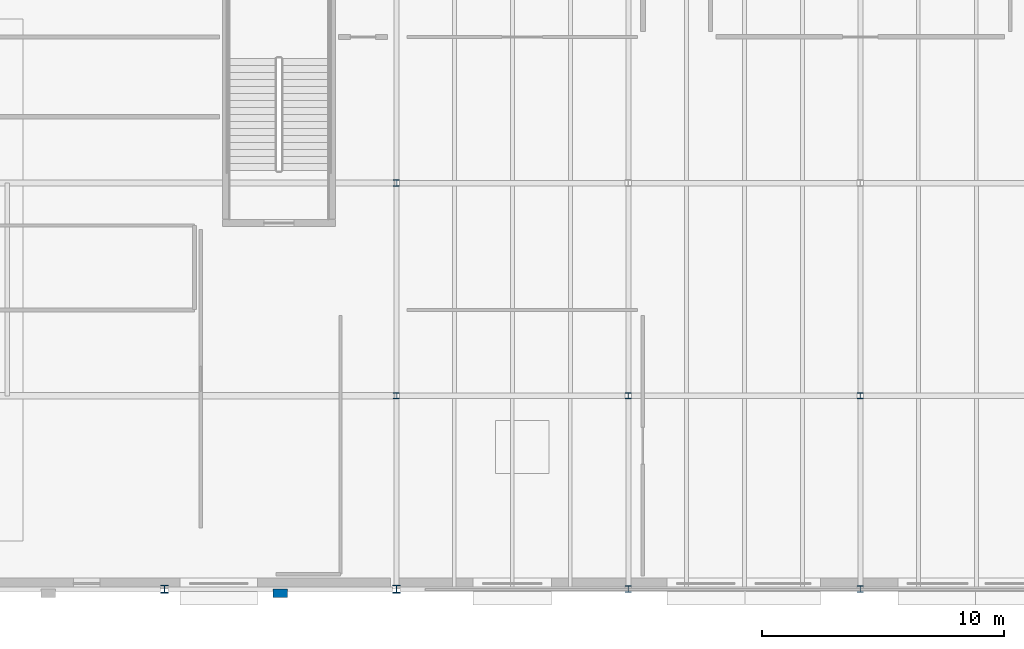
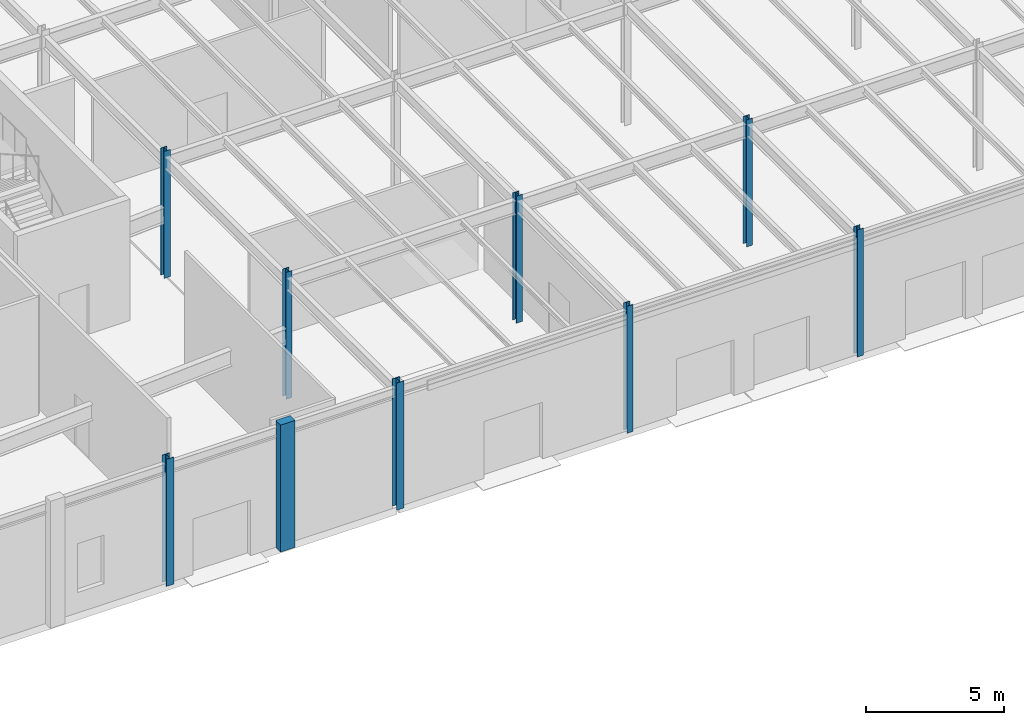
# One storey, part 5 of 70: 9 columns.
"""IFC4 building model written with IfcOpenShell, lengths in metres."""

from ifc_helpers import new_model, si_unit, direction, frame, origin, origin_2d, place, context, subcontext, project, spatial, rectangle, i_section, extrude, material, material_profile, profile_set, type_object, element, save


model = new_model("IFC4")

# Units and contexts
model_context = context("Model", 3, precision=1e-05, world=origin(), true_north=direction((0.0, 1.0)))
body_context = subcontext(model_context, "Body", "Model", "MODEL_VIEW")
ifc_project = project(units=[si_unit("LENGTHUNIT", "METRE"), si_unit("AREAUNIT", "SQUARE_METRE"), si_unit("VOLUMEUNIT", "CUBIC_METRE"), si_unit("PLANEANGLEUNIT", "RADIAN"), si_unit("MASSUNIT", "GRAM", prefix="KILO")], contexts=[model_context])

# Site, building, storey
site_placement = place(None, origin())
site = spatial("IfcSite", under=ifc_project, at=site_placement, CompositionType="ELEMENT")
building_placement = place(site_placement, origin())
building = spatial("IfcBuilding", under=site, at=building_placement, Name="Sarnbrook Museum", CompositionType="ELEMENT")
storey_placement = place(building_placement, origin())
storey = spatial("IfcBuildingStorey", under=building, at=storey_placement, Name="L00", CompositionType="ELEMENT", Elevation=0.0)

# Columns
ifc_material_1 = material(Name="Structural Steel Grade 300PLUS (AS/NZS 3679.1, fy = 280 MPa for 17 < t <= 40 mm, 300 MPa for t <= 17 mm)", Category="steel")
ifc_material_profile_1 = material_profile(ifc_material_1, i_section(OverallWidth=0.256103515625, OverallDepth=0.260009765625, WebThickness=0.010498046875, FlangeThickness=0.017333984375, FilletRadius=0.0126953125, at=origin_2d()), Name="250UC89.5")
ifc_profile_set_1 = profile_set([ifc_material_profile_1], Name="Structural Steel Grade 300PLUS (AS/NZS 3679.1, fy = 280 MPa for 17 < t <= 40 mm, 300 MPa for t <= 17 mm)")
column_type_1 = type_object("IfcColumnType", Name="COL-UC250H", PredefinedType="COLUMN", material=ifc_profile_set_1)
for number, where, z_axis, x_axis, name in (
    (1, (90.39990234375, 4.800048828125, 0.0), (0.0, 0.0, 1.0), (1.0, 0.0, 0.0), "Column 10-A L00"),
    (2, (90.39990234375, 12.800048828125, 0.0), (0.0, 0.0, 1.0), (1.0, 0.0, 0.0), "Column 10-B L00"),
    (3, (100.0, 4.800048828125, 0.0), (0.0, 0.0, 1.0), (1.0, 0.0, 0.0), "Column 11-A L00"),
    (4, (100.0, 12.800048828125, 0.0), (0.0, 0.0, 1.0), (1.0, 0.0, 0.0), "Column 11-B L00"),
    (5, (80.800048828125, 12.800048828125, 0.0), (0.0, 0.0, 1.0), (1.0, 0.0, 0.0), "Column 9-B L00"),
    (6, (80.800048828125, 21.60009765625, 0.0), (0.0, 0.0, 1.0), (1.0, 0.0, 0.0), "Column 9-C L00"),
):
    element("IfcColumn", number, at=place(storey_placement, frame(where, z_axis=z_axis, x_axis=x_axis)), inside=storey, type_object=column_type_1, Name=name, PredefinedType="COLUMN", context=body_context, shape_type="SweptSolid", body=[
        extrude(i_section(OverallWidth=0.256103515625, OverallDepth=0.260009765625, WebThickness=0.010498046875, FlangeThickness=0.017333984375, FilletRadius=0.0126953125, at=origin_2d()), origin(), (0.0, 0.0, 1.0), 5.60009765625),
    ])
ifc_material_profile_2 = material_profile(ifc_material_1, i_section(OverallWidth=0.31103515625, OverallDepth=0.326904296875, WebThickness=0.015625, FlangeThickness=0.02490234375, FilletRadius=0.0166015625, at=origin_2d()), Name="310UC158")
ifc_profile_set_2 = profile_set([ifc_material_profile_2], Name="Structural Steel Grade 300PLUS (AS/NZS 3679.1, fy = 280 MPa for 17 < t <= 40 mm, 300 MPa for t <= 17 mm)")
column_type_2 = type_object("IfcColumnType", Name="COL-UC310H", PredefinedType="COLUMN", material=ifc_profile_set_2)
for number, where, z_axis, x_axis, name in (
    (7, (71.199951171875, 4.800048828125, 0.0), (0.0, 0.0, 1.0), (1.0, 0.0, 0.0), "Column 8-A L00"),
    (8, (80.800048828125, 4.800048828125, 0.0), (0.0, 0.0, 1.0), (1.0, 0.0, 0.0), "Column 9-A L00"),
):
    element("IfcColumn", number, at=place(storey_placement, frame(where, z_axis=z_axis, x_axis=x_axis)), inside=storey, type_object=column_type_2, Name=name, PredefinedType="COLUMN", context=body_context, shape_type="SweptSolid", body=[
        extrude(i_section(OverallWidth=0.31103515625, OverallDepth=0.326904296875, WebThickness=0.015625, FlangeThickness=0.02490234375, FilletRadius=0.0166015625, at=origin_2d()), origin(), (0.0, 0.0, 1.0), 5.60009765625),
    ])
ifc_material_2 = material(Name="Concrete N40 (AS 3600, f'c = 40 MPa)", Category="concrete")
ifc_material_profile_3 = material_profile(ifc_material_2, rectangle(XDim=0.60009765625, YDim=0.35009765625, at=origin_2d()), Name="PILASTER 600x350")
ifc_profile_set_3 = profile_set([ifc_material_profile_3], Name="Concrete N40 (AS 3600, f'c = 40 MPa)")
column_type_3 = type_object("IfcColumnType", Name="PIL-600x350", PredefinedType="PILASTER", material=ifc_profile_set_3)
column_placement = place(storey_placement, frame((76.0, 4.6201171875, 0.0), z_axis=(0.0, 0.0, 1.0), x_axis=(1.0, 0.0, 0.0)))
element("IfcColumn", 9, at=column_placement, inside=storey, type_object=column_type_3, Name="Sandstone Classical Pilaster P-S4 L00", PredefinedType="PILASTER", context=body_context, shape_type="SweptSolid", body=[
    extrude(rectangle(XDim=0.60009765625, YDim=0.35009765625, at=origin_2d()), origin(), (0.0, 0.0, 1.0), 5.60009765625),
])

save(model, "model.ifc")
